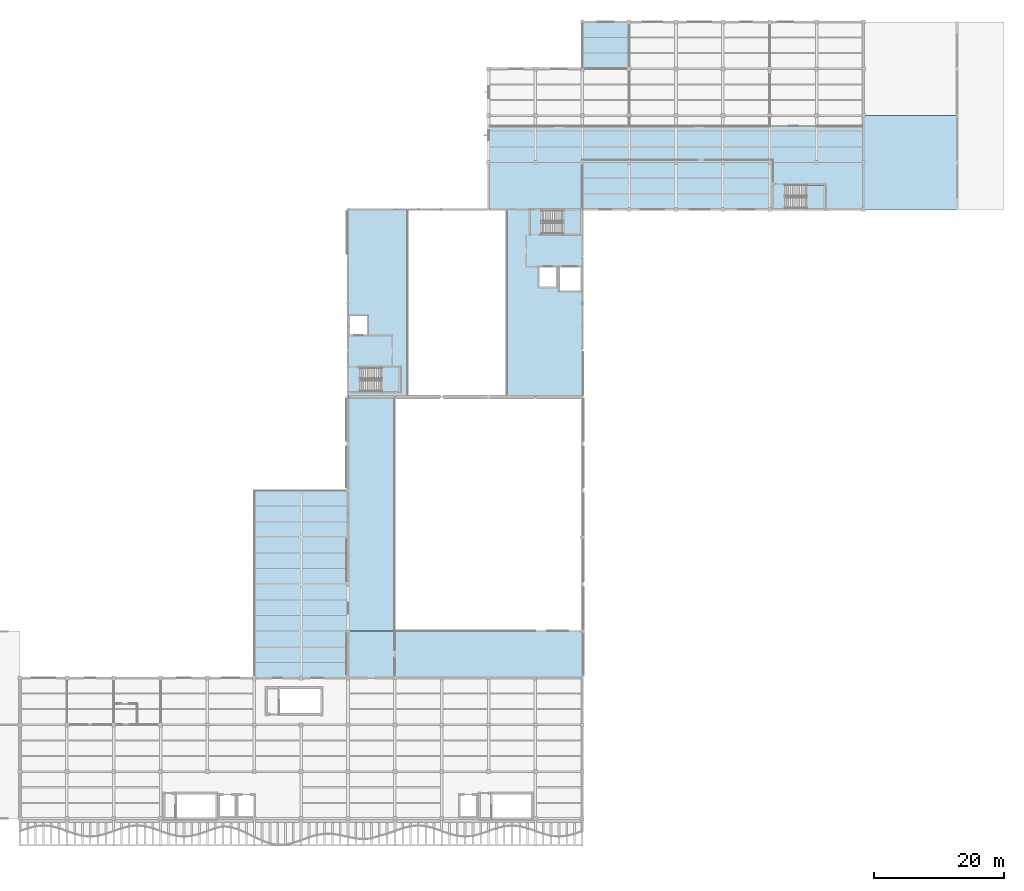
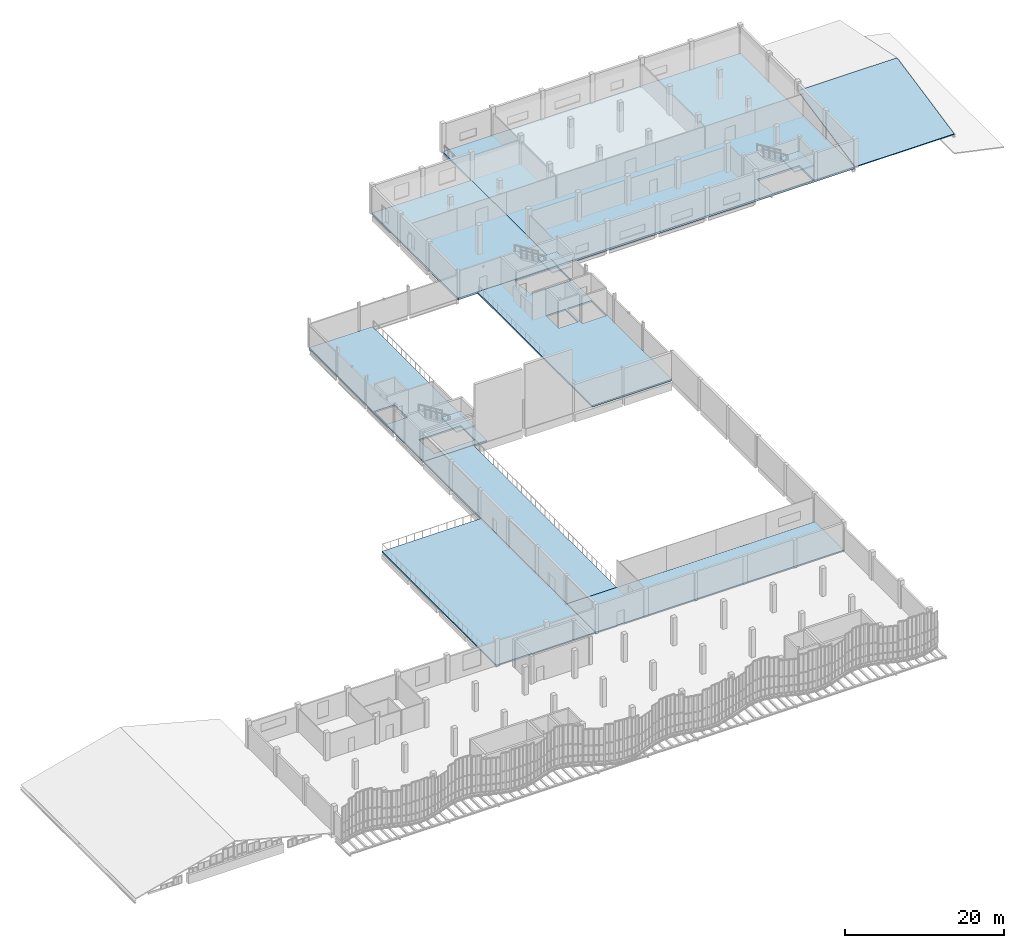
# One storey, part 60 of 76: 11 slabs, 4 elements without a shape of their own.
"""IFC4 building model written with IfcOpenShell, lengths in metres."""

from ifc_helpers import new_model, si_unit, direction, frame, origin, place, context, subcontext, project, spatial, polyline, outline, extrude, material, layer, layer_set, type_object, element, aggregate, save


model = new_model("IFC4")

# Units and contexts
model_context = context("Model", 3, precision=1e-05, world=origin(), true_north=direction((0.0, 1.0)))
body_context = subcontext(model_context, "Body", "Model", "MODEL_VIEW")
ifc_project = project(units=[si_unit("LENGTHUNIT", "METRE"), si_unit("AREAUNIT", "SQUARE_METRE"), si_unit("VOLUMEUNIT", "CUBIC_METRE"), si_unit("PLANEANGLEUNIT", "RADIAN"), si_unit("MASSUNIT", "GRAM", prefix="KILO"), si_unit("THERMODYNAMICTEMPERATUREUNIT", "KELVIN"), si_unit("POWERUNIT", "WATT")], contexts=[model_context])

# Site, building, storey
site_placement = place(None, origin())
site = spatial("IfcSite", under=ifc_project, at=site_placement, CompositionType="ELEMENT")
building_placement = place(site_placement, origin())
building = spatial("IfcBuilding", under=site, at=building_placement, Name="Kaldorven Railside Theatre", CompositionType="ELEMENT")
storey_placement = place(building_placement, frame((0.0, 0.0, 14.39990234375)))
storey = spatial("IfcBuildingStorey", under=building, at=storey_placement, Name="L03", CompositionType="ELEMENT", Elevation=14.39990234375)

# Slabs
ifc_material = material(Name="Concrete C35/45", Category="concrete")
ifc_layer_1 = layer(ifc_material, 0.219970703125, Name="Concrete C35/45")
ifc_layer_set_1 = layer_set([ifc_layer_1], Name="Concrete C35/45")
slab_type_1 = type_object("IfcSlabType", Name="SLB-ESL-220", PredefinedType="FLOOR", material=ifc_layer_set_1)
slab_1_placement = place(storey_placement, frame((0.0, 0.0, -0.219970703125)))
element("IfcSlab", 1, at=slab_1_placement, inside=storey, type_object=slab_type_1, Name="L03 Floor Slab SL-L03-TERW", PredefinedType="FLOOR", context=body_context, shape_type="SweptSolid", body=[
    extrude(outline(polyline([(72.800048828125, 40.800048828125), (87.199951171875, 40.800048828125), (87.199951171875, 69.60009765625), (72.800048828125, 69.60009765625), (72.800048828125, 40.800048828125)])), origin(), (0.0, 0.0, 1.0), 0.219970703125),
])
ifc_layer_2 = layer(ifc_material, 0.239990234375, Name="Concrete C35/45")
ifc_layer_set_2 = layer_set([ifc_layer_2], Name="Concrete C35/45")
slab_type_2 = type_object("IfcSlabType", Name="SLB-FSL-240", PredefinedType="FLOOR", material=ifc_layer_set_2)
slab_2_placement = place(storey_placement, frame((0.0, 0.0, -0.239990234375)))
element("IfcSlab", 2, at=slab_2_placement, inside=storey, type_object=slab_type_2, Name="L03 Floor Slab SL-L03-V2W", PredefinedType="FLOOR", context=body_context, shape_type="SweptSolid", body=[
    extrude(outline(polyline([(87.199951171875, 84.0), (96.39990234375, 84.0), (96.39990234375, 112.800048828125), (87.199951171875, 112.800048828125), (87.199951171875, 84.0)]), holes=[polyline([(89.050048828125, 88.449951171875), (95.14990234375, 88.449951171875), (95.14990234375, 84.85009765625), (89.199951171875, 84.85009765625), (89.199951171875, 86.570068359375), (89.050048828125, 86.570068359375), (89.050048828125, 88.449951171875)]), polyline([(90.25, 93.39990234375), (90.25, 96.60009765625), (87.35009765625, 96.60009765625), (87.35009765625, 93.39990234375), (90.25, 93.39990234375)])]), origin(), (0.0, 0.0, 1.0), 0.239990234375),
])
slab_3_placement = place(storey_placement, frame((0.0, 0.0, -0.239990234375)))
element("IfcSlab", 3, at=slab_3_placement, inside=storey, type_object=slab_type_2, Name="L03 Floor Slab SL-L03-V2E", PredefinedType="FLOOR", context=body_context, shape_type="SweptSolid", body=[
    extrude(outline(polyline([(111.60009765625, 84.0), (123.199951171875, 84.0), (123.199951171875, 112.800048828125), (111.60009765625, 112.800048828125), (111.60009765625, 84.0)]), holes=[polyline([(116.949951171875, 112.64990234375), (123.050048828125, 112.64990234375), (123.050048828125, 109.050048828125), (117.10009765625, 109.050048828125), (117.10009765625, 110.77001953125), (116.949951171875, 110.77001953125), (116.949951171875, 112.64990234375)]), polyline([(119.300048828125, 100.800048828125), (119.300048828125, 104.0), (116.5, 104.0), (116.5, 100.800048828125), (119.300048828125, 100.800048828125)]), polyline([(123.050048828125, 100.199951171875), (123.050048828125, 104.0), (119.580078125, 104.0), (119.580078125, 100.199951171875), (123.050048828125, 100.199951171875)])]), origin(), (0.0, 0.0, 1.0), 0.239990234375),
])
ifc_layer_3 = layer(ifc_material, 0.25, Name="Concrete C35/45")
ifc_layer_set_3 = layer_set([ifc_layer_3], Name="Concrete C35/45")
slab_type_3 = type_object("IfcSlabType", Name="SLB-FSL-250", PredefinedType="FLOOR", material=ifc_layer_set_3)
slab_4_placement = place(storey_placement, frame((0.0, 0.0, -0.25)))
element("IfcSlab", 4, at=slab_4_placement, inside=storey, type_object=slab_type_3, Name="L03 Floor Slab SL-L03-V1", PredefinedType="FLOOR", context=body_context, shape_type="SweptSolid", body=[
    extrude(outline(polyline([(87.199951171875, 40.800048828125), (123.199951171875, 40.800048828125), (123.199951171875, 48.0), (87.199951171875, 48.0), (87.199951171875, 40.800048828125)])), origin(), (0.0, 0.0, 1.0), 0.25),
])
slab_5_placement = place(storey_placement, frame((0.0, 0.0, -0.25)))
element("IfcSlab", 5, at=slab_5_placement, inside=storey, type_object=slab_type_3, Name="L03 Floor Slab SL-L03-V1W", PredefinedType="FLOOR", context=body_context, shape_type="SweptSolid", body=[
    extrude(outline(polyline([(87.199951171875, 48.0), (94.39990234375, 48.0), (94.39990234375, 84.0), (87.199951171875, 84.0), (87.199951171875, 48.0)])), origin(), (0.0, 0.0, 1.0), 0.25),
])
ifc_layer_4 = layer(ifc_material, 0.280029296875, Name="Concrete C35/45")
ifc_layer_set_4 = layer_set([ifc_layer_4], Name="Concrete C35/45")
slab_type_4 = type_object("IfcSlabType", Name="SLB-FSL-280", PredefinedType="FLOOR", material=ifc_layer_set_4)
slab_6_placement = place(storey_placement, frame((0.0, 0.0, -0.27978515625)))
element("IfcSlab", 6, at=slab_6_placement, inside=storey, type_object=slab_type_4, Name="L03 Floor Slab SL-L03-V6", PredefinedType="FLOOR", context=body_context, shape_type="SweptSolid", body=[
    extrude(outline(polyline([(123.199951171875, 112.800048828125), (166.39990234375, 112.800048828125), (166.39990234375, 141.60009765625), (123.199951171875, 141.60009765625), (123.199951171875, 112.800048828125)]), holes=[polyline([(154.35009765625, 116.550048828125), (160.449951171875, 116.550048828125), (160.449951171875, 112.949951171875), (154.5, 112.949951171875), (154.5, 114.669921875), (154.35009765625, 114.669921875), (154.35009765625, 116.550048828125)])]), origin(), (0.0, 0.0, 1.0), 0.27978515625),
])
slab_7_placement = place(storey_placement, frame((0.0, 0.0, -0.27978515625)))
element("IfcSlab", 7, at=slab_7_placement, inside=storey, type_object=slab_type_4, Name="L03 Floor Slab SL-L03-V6L", PredefinedType="FLOOR", context=body_context, shape_type="SweptSolid", body=[
    extrude(outline(polyline([(108.800048828125, 112.800048828125), (123.199951171875, 112.800048828125), (123.199951171875, 134.39990234375), (108.800048828125, 134.39990234375), (108.800048828125, 112.800048828125)])), origin(), (0.0, 0.0, 1.0), 0.27978515625),
])

# Stair, slab
stair_type = type_object("IfcStairType", Name="STR-DL-03", PredefinedType="HALF_TURN_STAIR", material=ifc_material)
stair_1_placement = place(storey_placement, origin())
stair_1 = element("IfcStair", 8, at=stair_1_placement, inside=storey, type_object=stair_type, Name="L03 Core C-STW Escape Stair ST-05", PredefinedType="HALF_TURN_STAIR")
ifc_layer_5 = layer(ifc_material, 0.199951171875, Name="Concrete C35/45")
ifc_layer_set_5 = layer_set([ifc_layer_5], Name="Concrete C35/45")
slab_type_5 = type_object("IfcSlabType", Name="SLB-LSL-200", PredefinedType="LANDING", material=ifc_layer_set_5)
slab_8_placement = place(storey_placement, frame((0.0, 0.0, 2.050048828125)))
slab_8 = element("IfcSlab", 9, at=slab_8_placement, type_object=slab_type_5, Name="ST-05 landing 1", PredefinedType="LANDING", context=body_context, shape_type="SweptSolid", body=[
    extrude(outline(polyline([(92.385009765625, 84.820068359375), (95.179931640625, 84.820068359375), (95.179931640625, 88.47998046875), (92.385009765625, 88.47998046875), (92.385009765625, 84.820068359375)])), origin(), (0.0, 0.0, 1.0), 0.199951171875),
])
aggregate(stair_1, [slab_8])

stair_2_placement = place(storey_placement, origin())
stair_2 = element("IfcStair", 10, at=stair_2_placement, inside=storey, type_object=stair_type, Name="L03 Core C-STE Escape Stair ST-06", PredefinedType="HALF_TURN_STAIR")
slab_9_placement = place(storey_placement, frame((0.0, 0.0, 2.050048828125)))
slab_9 = element("IfcSlab", 11, at=slab_9_placement, type_object=slab_type_5, Name="ST-06 landing 1", PredefinedType="LANDING", context=body_context, shape_type="SweptSolid", body=[
    extrude(outline(polyline([(120.284912109375, 109.02001953125), (123.080078125, 109.02001953125), (123.080078125, 112.679931640625), (120.284912109375, 112.679931640625), (120.284912109375, 109.02001953125)])), origin(), (0.0, 0.0, 1.0), 0.199951171875),
])
aggregate(stair_2, [slab_9])

stair_3_placement = place(storey_placement, origin())
stair_3 = element("IfcStair", 12, at=stair_3_placement, inside=storey, type_object=stair_type, Name="L03 East Backstage Escape Stair", PredefinedType="HALF_TURN_STAIR")
slab_10_placement = place(storey_placement, frame((0.0, 0.0, 2.050048828125)))
slab_10 = element("IfcSlab", 13, at=slab_10_placement, type_object=slab_type_5, Name="ST-08 landing 1", PredefinedType="LANDING", context=body_context, shape_type="SweptSolid", body=[
    extrude(outline(polyline([(157.68505859375, 112.919921875), (160.47998046875, 112.919921875), (160.47998046875, 116.580078125), (157.68505859375, 116.580078125), (157.68505859375, 112.919921875)])), origin(), (0.0, 0.0, 1.0), 0.199951171875),
])
aggregate(stair_3, [slab_10])

# Roof, slab
roof_type = type_object("IfcRoofType", Name="RF-SHED-BOH1", PredefinedType="SHED_ROOF", material=ifc_material)
roof_placement = place(storey_placement, origin())
roof = element("IfcRoof", 14, at=roof_placement, inside=storey, type_object=roof_type, Name="Scenery Workshop Stepped Monsoon Roof", PredefinedType="SHED_ROOF")
ifc_layer_6 = layer(ifc_material, 0.14990234375, Name="Concrete C35/45")
ifc_layer_set_6 = layer_set([ifc_layer_6], Name="Concrete C35/45")
slab_type_6 = type_object("IfcSlabType", Name="SLB-RSL-150", PredefinedType="ROOF", material=ifc_layer_set_6)
slab_11_placement = place(storey_placement, frame((166.39990234375, 112.800048828125, 0.0), z_axis=(0.0, -0.200707101268, 0.97965129485), x_axis=(1.0, 0.0, 0.0)))
slab_11 = element("IfcSlab", 15, at=slab_11_placement, type_object=slab_type_6, Name="Backstage Monsoon Roof V6-RF-L03-S", PredefinedType="ROOF", context=body_context, shape_type="SweptSolid", body=[
    extrude(outline(polyline([(0.0, 0.0), (14.400146484375, 0.0), (14.400146484375, 14.699008126109522), (0.0, 14.699008126109522), (0.0, 0.0)])), origin(), (0.0, 0.0, -1.0), 0.14990234375),
])
aggregate(roof, [slab_11])

save(model, "model.ifc")
